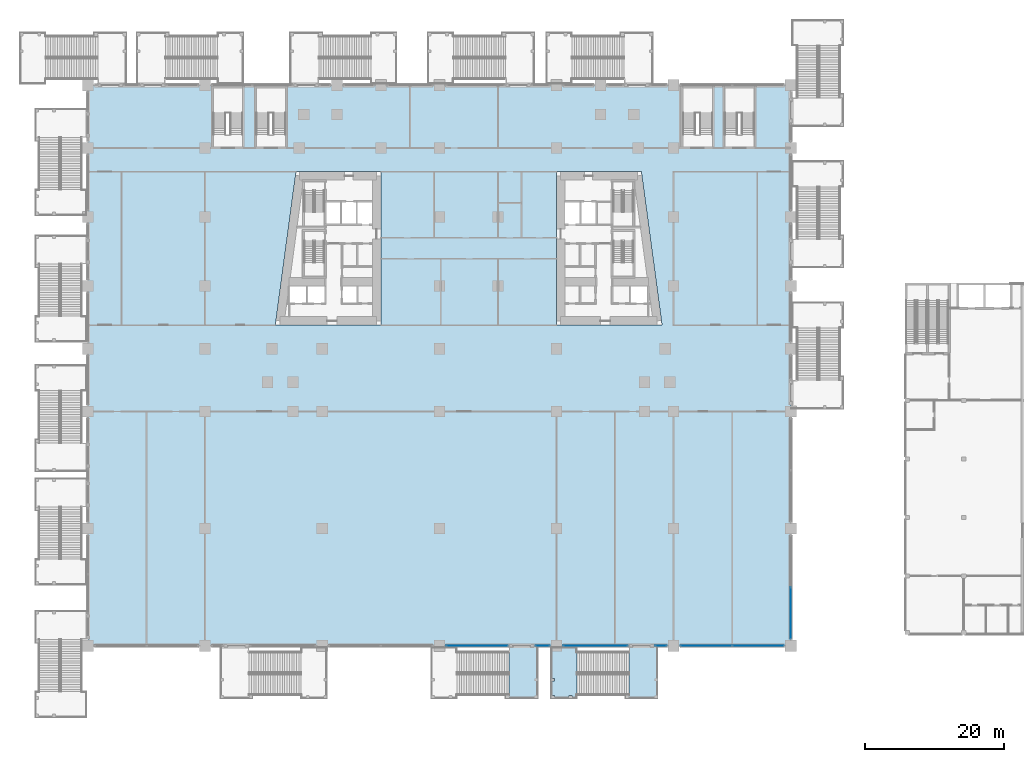
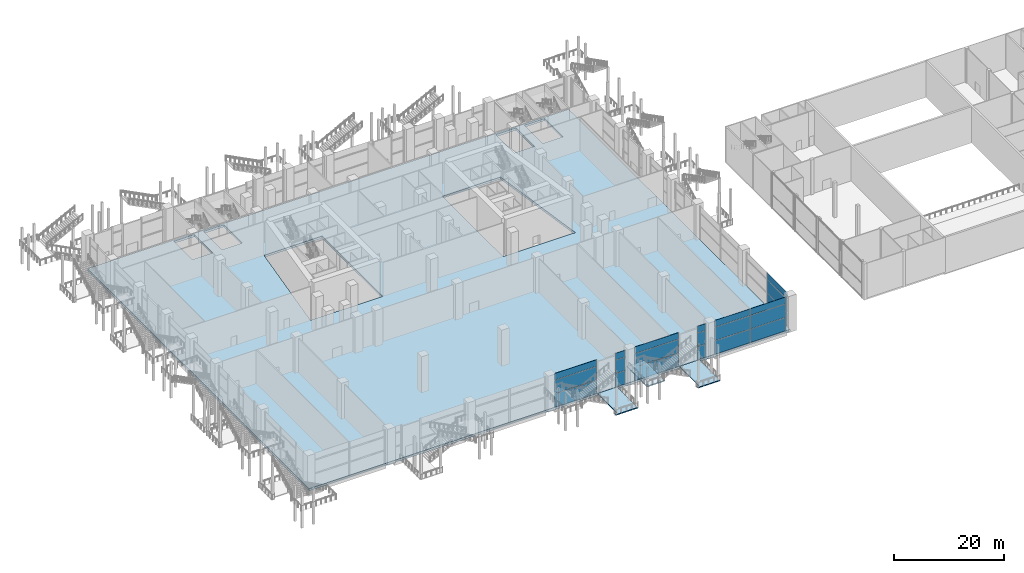
# One storey, part 17 of 52: 21 plates, 4 slabs, 7 elements without a shape of their own.
"""IFC4 building model written with IfcOpenShell, lengths in metres."""

from ifc_helpers import new_model, si_unit, direction, frame, origin, origin_2d, place, context, subcontext, project, spatial, polyline, rectangle, outline, extrude, material, layer, layer_set, type_object, element, aggregate, save


model = new_model("IFC4")

# Units and contexts
model_context = context("Model", 3, precision=1e-05, world=origin(), true_north=direction((0.0, 1.0)))
body_context = subcontext(model_context, "Body", "Model", "MODEL_VIEW")
ifc_project = project(units=[si_unit("LENGTHUNIT", "METRE"), si_unit("AREAUNIT", "SQUARE_METRE"), si_unit("VOLUMEUNIT", "CUBIC_METRE"), si_unit("PLANEANGLEUNIT", "RADIAN"), si_unit("MASSUNIT", "GRAM", prefix="KILO")], contexts=[model_context])

# Site, building, storey
site_placement = place(None, origin())
site = spatial("IfcSite", under=ifc_project, at=site_placement, CompositionType="ELEMENT")
building_placement = place(site_placement, origin())
building = spatial("IfcBuilding", under=site, at=building_placement, Name="Candeia Pilgrim Tower and Theatre", CompositionType="ELEMENT")
storey_placement = place(building_placement, frame((0.0, 0.0, 9.0)))
storey = spatial("IfcBuildingStorey", under=building, at=storey_placement, Name="L01", CompositionType="ELEMENT", Elevation=9.0)

# Curtain wall, plates
ifc_material_1 = material(Name="Aluminium framed podium glazing", Category="aluminium")
curtain_wall_type = type_object("IfcCurtainWallType", Name="CW-P curtain wall", PredefinedType="NOTDEFINED", material=ifc_material_1)
curtain_wall_1_placement = place(storey_placement, origin())
curtain_wall_1 = element("IfcCurtainWall", 1, at=curtain_wall_1_placement, inside=storey, type_object=curtain_wall_type, Name="Curtain wall CW-P L01.260", PredefinedType="NOTDEFINED")
ifc_material_2 = material(Name="Laminated low-iron glass 2 x 8 mm", Category="glass")
ifc_layer_1 = layer(ifc_material_2, 0.035888671875)
ifc_layer_set_1 = layer_set([ifc_layer_1], Name="CW-P glass panel 36")
plate_type = type_object("IfcPlateType", Name="CW-P glass panel 36", PredefinedType="CURTAIN_PANEL", material=ifc_layer_set_1)
plate_1_placement = place(storey_placement, frame((159.60009765625, 69.074951171875, 0.0), z_axis=(0.0, 0.0, 1.0), x_axis=(0.0, -1.0, 0.0)))
plate_1 = element("IfcPlate", 2, at=plate_1_placement, type_object=plate_type, Name="CW-P panel 2.1", PredefinedType="CURTAIN_PANEL", context=body_context, shape_type="SweptSolid", body=[
    extrude(rectangle(XDim=7.3701171875, YDim=0.035888671875, at=origin_2d()), origin(), (0.0, 0.0, 1.0), 2.9599609375),
])
plate_2_placement = place(storey_placement, frame((159.60009765625, 69.074951171875, 3.0400390625), z_axis=(0.0, 0.0, 1.0), x_axis=(0.0, -1.0, 0.0)))
plate_2 = element("IfcPlate", 3, at=plate_2_placement, type_object=plate_type, Name="CW-P panel 2.2", PredefinedType="CURTAIN_PANEL", context=body_context, shape_type="SweptSolid", body=[
    extrude(rectangle(XDim=7.3701171875, YDim=0.035888671875, at=origin_2d()), origin(), (0.0, 0.0, 1.0), 2.919921875),
])
plate_3_placement = place(storey_placement, frame((159.60009765625, 69.074951171875, 6.0400390625), z_axis=(0.0, 0.0, 1.0), x_axis=(0.0, -1.0, 0.0)))
plate_3 = element("IfcPlate", 4, at=plate_3_placement, type_object=plate_type, Name="CW-P panel 2.3", PredefinedType="CURTAIN_PANEL", context=body_context, shape_type="SweptSolid", body=[
    extrude(rectangle(XDim=7.3701171875, YDim=0.035888671875, at=origin_2d()), origin(), (0.0, 0.0, 1.0), 1.4599609375),
])
aggregate(curtain_wall_1, [plate_1, plate_2, plate_3])

curtain_wall_2_placement = place(storey_placement, origin())
curtain_wall_2 = element("IfcCurtainWall", 5, at=curtain_wall_2_placement, inside=storey, type_object=curtain_wall_type, Name="Curtain wall CW-P L01.300", PredefinedType="NOTDEFINED")
plate_4_placement = place(storey_placement, frame((154.925048828125, 64.39990234375, 0.0), z_axis=(0.0, 0.0, 1.0), x_axis=(-1.0, 0.0, 0.0)))
plate_4 = element("IfcPlate", 6, at=plate_4_placement, type_object=plate_type, Name="CW-P panel 1.1", PredefinedType="CURTAIN_PANEL", context=body_context, shape_type="SweptSolid", body=[
    extrude(rectangle(XDim=7.3701171875, YDim=0.035888671875, at=origin_2d()), origin(), (0.0, 0.0, 1.0), 2.9599609375),
])
plate_5_placement = place(storey_placement, frame((154.925048828125, 64.39990234375, 3.0400390625), z_axis=(0.0, 0.0, 1.0), x_axis=(-1.0, 0.0, 0.0)))
plate_5 = element("IfcPlate", 7, at=plate_5_placement, type_object=plate_type, Name="CW-P panel 1.2", PredefinedType="CURTAIN_PANEL", context=body_context, shape_type="SweptSolid", body=[
    extrude(rectangle(XDim=7.3701171875, YDim=0.035888671875, at=origin_2d()), origin(), (0.0, 0.0, 1.0), 2.919921875),
])
plate_6_placement = place(storey_placement, frame((154.925048828125, 64.39990234375, 6.0400390625), z_axis=(0.0, 0.0, 1.0), x_axis=(-1.0, 0.0, 0.0)))
plate_6 = element("IfcPlate", 8, at=plate_6_placement, type_object=plate_type, Name="CW-P panel 1.3", PredefinedType="CURTAIN_PANEL", context=body_context, shape_type="SweptSolid", body=[
    extrude(rectangle(XDim=7.3701171875, YDim=0.035888671875, at=origin_2d()), origin(), (0.0, 0.0, 1.0), 1.4599609375),
])
plate_7_placement = place(storey_placement, frame((147.47509765625, 64.39990234375, 0.0), z_axis=(0.0, 0.0, 1.0), x_axis=(-1.0, 0.0, 0.0)))
plate_7 = element("IfcPlate", 9, at=plate_7_placement, type_object=plate_type, Name="CW-P panel 2.1", PredefinedType="CURTAIN_PANEL", context=body_context, shape_type="SweptSolid", body=[
    extrude(rectangle(XDim=7.3701171875, YDim=0.035888671875, at=origin_2d()), origin(), (0.0, 0.0, 1.0), 2.9599609375),
])
plate_8_placement = place(storey_placement, frame((147.47509765625, 64.39990234375, 3.0400390625), z_axis=(0.0, 0.0, 1.0), x_axis=(-1.0, 0.0, 0.0)))
plate_8 = element("IfcPlate", 10, at=plate_8_placement, type_object=plate_type, Name="CW-P panel 2.2", PredefinedType="CURTAIN_PANEL", context=body_context, shape_type="SweptSolid", body=[
    extrude(rectangle(XDim=7.3701171875, YDim=0.035888671875, at=origin_2d()), origin(), (0.0, 0.0, 1.0), 2.919921875),
])
plate_9_placement = place(storey_placement, frame((147.47509765625, 64.39990234375, 6.0400390625), z_axis=(0.0, 0.0, 1.0), x_axis=(-1.0, 0.0, 0.0)))
plate_9 = element("IfcPlate", 11, at=plate_9_placement, type_object=plate_type, Name="CW-P panel 2.3", PredefinedType="CURTAIN_PANEL", context=body_context, shape_type="SweptSolid", body=[
    extrude(rectangle(XDim=7.3701171875, YDim=0.035888671875, at=origin_2d()), origin(), (0.0, 0.0, 1.0), 1.4599609375),
])
aggregate(curtain_wall_2, [plate_4, plate_5, plate_6, plate_7, plate_8, plate_9])

curtain_wall_3_placement = place(storey_placement, origin())
curtain_wall_3 = element("IfcCurtainWall", 12, at=curtain_wall_3_placement, inside=storey, type_object=curtain_wall_type, Name="Curtain wall CW-P L01.310", PredefinedType="NOTDEFINED")
plate_10_placement = place(storey_placement, frame((141.0, 64.39990234375, 0.0), z_axis=(0.0, 0.0, 1.0), x_axis=(-1.0, 0.0, 0.0)))
plate_10 = element("IfcPlate", 13, at=plate_10_placement, type_object=plate_type, Name="CW-P panel 1.1", PredefinedType="CURTAIN_PANEL", context=body_context, shape_type="SweptSolid", body=[
    extrude(rectangle(XDim=1.6201171875, YDim=0.035888671875, at=origin_2d()), origin(), (0.0, 0.0, 1.0), 2.9599609375),
])
plate_11_placement = place(storey_placement, frame((141.0, 64.39990234375, 3.0400390625), z_axis=(0.0, 0.0, 1.0), x_axis=(-1.0, 0.0, 0.0)))
plate_11 = element("IfcPlate", 14, at=plate_11_placement, type_object=plate_type, Name="CW-P panel 1.2", PredefinedType="CURTAIN_PANEL", context=body_context, shape_type="SweptSolid", body=[
    extrude(rectangle(XDim=1.6201171875, YDim=0.035888671875, at=origin_2d()), origin(), (0.0, 0.0, 1.0), 2.919921875),
])
plate_12_placement = place(storey_placement, frame((141.0, 64.39990234375, 6.0400390625), z_axis=(0.0, 0.0, 1.0), x_axis=(-1.0, 0.0, 0.0)))
plate_12 = element("IfcPlate", 15, at=plate_12_placement, type_object=plate_type, Name="CW-P panel 1.3", PredefinedType="CURTAIN_PANEL", context=body_context, shape_type="SweptSolid", body=[
    extrude(rectangle(XDim=1.6201171875, YDim=0.035888671875, at=origin_2d()), origin(), (0.0, 0.0, 1.0), 1.4599609375),
])
aggregate(curtain_wall_3, [plate_10, plate_11, plate_12])

curtain_wall_4_placement = place(storey_placement, origin())
curtain_wall_4 = element("IfcCurtainWall", 16, at=curtain_wall_4_placement, inside=storey, type_object=curtain_wall_type, Name="Curtain wall CW-P L01.311", PredefinedType="NOTDEFINED")
plate_13_placement = place(storey_placement, frame((131.60009765625, 64.39990234375, 0.0), z_axis=(0.0, 0.0, 1.0), x_axis=(-1.0, 0.0, 0.0)))
plate_13 = element("IfcPlate", 17, at=plate_13_placement, type_object=plate_type, Name="CW-P panel 1.1", PredefinedType="CURTAIN_PANEL", context=body_context, shape_type="SweptSolid", body=[
    extrude(rectangle(XDim=9.219970703125, YDim=0.035888671875, at=origin_2d()), origin(), (0.0, 0.0, 1.0), 2.9599609375),
])
plate_14_placement = place(storey_placement, frame((131.60009765625, 64.39990234375, 3.0400390625), z_axis=(0.0, 0.0, 1.0), x_axis=(-1.0, 0.0, 0.0)))
plate_14 = element("IfcPlate", 18, at=plate_14_placement, type_object=plate_type, Name="CW-P panel 1.2", PredefinedType="CURTAIN_PANEL", context=body_context, shape_type="SweptSolid", body=[
    extrude(rectangle(XDim=9.219970703125, YDim=0.035888671875, at=origin_2d()), origin(), (0.0, 0.0, 1.0), 2.919921875),
])
plate_15_placement = place(storey_placement, frame((131.60009765625, 64.39990234375, 6.0400390625), z_axis=(0.0, 0.0, 1.0), x_axis=(-1.0, 0.0, 0.0)))
plate_15 = element("IfcPlate", 19, at=plate_15_placement, type_object=plate_type, Name="CW-P panel 1.3", PredefinedType="CURTAIN_PANEL", context=body_context, shape_type="SweptSolid", body=[
    extrude(rectangle(XDim=9.219970703125, YDim=0.035888671875, at=origin_2d()), origin(), (0.0, 0.0, 1.0), 1.4599609375),
])
aggregate(curtain_wall_4, [plate_13, plate_14, plate_15])

curtain_wall_5_placement = place(storey_placement, origin())
curtain_wall_5 = element("IfcCurtainWall", 20, at=curtain_wall_5_placement, inside=storey, type_object=curtain_wall_type, Name="Curtain wall CW-P L01.320", PredefinedType="NOTDEFINED")
plate_16_placement = place(storey_placement, frame((124.0, 64.39990234375, 0.0), z_axis=(0.0, 0.0, 1.0), x_axis=(-1.0, 0.0, 0.0)))
plate_16 = element("IfcPlate", 21, at=plate_16_placement, type_object=plate_type, Name="CW-P panel 1.1", PredefinedType="CURTAIN_PANEL", context=body_context, shape_type="SweptSolid", body=[
    extrude(rectangle(XDim=2.02001953125, YDim=0.035888671875, at=origin_2d()), origin(), (0.0, 0.0, 1.0), 2.9599609375),
])
plate_17_placement = place(storey_placement, frame((124.0, 64.39990234375, 3.0400390625), z_axis=(0.0, 0.0, 1.0), x_axis=(-1.0, 0.0, 0.0)))
plate_17 = element("IfcPlate", 22, at=plate_17_placement, type_object=plate_type, Name="CW-P panel 1.2", PredefinedType="CURTAIN_PANEL", context=body_context, shape_type="SweptSolid", body=[
    extrude(rectangle(XDim=2.02001953125, YDim=0.035888671875, at=origin_2d()), origin(), (0.0, 0.0, 1.0), 2.919921875),
])
plate_18_placement = place(storey_placement, frame((124.0, 64.39990234375, 6.0400390625), z_axis=(0.0, 0.0, 1.0), x_axis=(-1.0, 0.0, 0.0)))
plate_18 = element("IfcPlate", 23, at=plate_18_placement, type_object=plate_type, Name="CW-P panel 1.3", PredefinedType="CURTAIN_PANEL", context=body_context, shape_type="SweptSolid", body=[
    extrude(rectangle(XDim=2.02001953125, YDim=0.035888671875, at=origin_2d()), origin(), (0.0, 0.0, 1.0), 1.4599609375),
])
aggregate(curtain_wall_5, [plate_16, plate_17, plate_18])

curtain_wall_6_placement = place(storey_placement, origin())
curtain_wall_6 = element("IfcCurtainWall", 24, at=curtain_wall_6_placement, inside=storey, type_object=curtain_wall_type, Name="Curtain wall CW-P L01.321", PredefinedType="NOTDEFINED")
plate_19_placement = place(storey_placement, frame((114.60009765625, 64.39990234375, 0.0), z_axis=(0.0, 0.0, 1.0), x_axis=(-1.0, 0.0, 0.0)))
plate_19 = element("IfcPlate", 25, at=plate_19_placement, type_object=plate_type, Name="CW-P panel 1.1", PredefinedType="CURTAIN_PANEL", context=body_context, shape_type="SweptSolid", body=[
    extrude(rectangle(XDim=8.820068359375, YDim=0.035888671875, at=origin_2d()), origin(), (0.0, 0.0, 1.0), 2.9599609375),
])
plate_20_placement = place(storey_placement, frame((114.60009765625, 64.39990234375, 3.0400390625), z_axis=(0.0, 0.0, 1.0), x_axis=(-1.0, 0.0, 0.0)))
plate_20 = element("IfcPlate", 26, at=plate_20_placement, type_object=plate_type, Name="CW-P panel 1.2", PredefinedType="CURTAIN_PANEL", context=body_context, shape_type="SweptSolid", body=[
    extrude(rectangle(XDim=8.820068359375, YDim=0.035888671875, at=origin_2d()), origin(), (0.0, 0.0, 1.0), 2.919921875),
])
plate_21_placement = place(storey_placement, frame((114.60009765625, 64.39990234375, 6.0400390625), z_axis=(0.0, 0.0, 1.0), x_axis=(-1.0, 0.0, 0.0)))
plate_21 = element("IfcPlate", 27, at=plate_21_placement, type_object=plate_type, Name="CW-P panel 1.3", PredefinedType="CURTAIN_PANEL", context=body_context, shape_type="SweptSolid", body=[
    extrude(rectangle(XDim=8.820068359375, YDim=0.035888671875, at=origin_2d()), origin(), (0.0, 0.0, 1.0), 1.4599609375),
])
aggregate(curtain_wall_6, [plate_19, plate_20, plate_21])

# Slabs
ifc_material_3 = material(Name="Concrete C50/60", Category="concrete")
ifc_layer_2 = layer(ifc_material_3, 0.5)
ifc_layer_set_2 = layer_set([ifc_layer_2], Name="Floor slab 500 C50/60")
slab_type_1 = type_object("IfcSlabType", Name="Floor slab 500 C50/60", PredefinedType="FLOOR", material=ifc_layer_set_2)
slab_1_placement = place(storey_placement, frame((0.0, 0.0, -0.5)))
element("IfcSlab", 28, at=slab_1_placement, inside=storey, type_object=slab_type_1, Name="Floor slab L01", PredefinedType="FLOOR", context=body_context, shape_type="SweptSolid", body=[
    extrude(outline(polyline([(58.800048828125, 144.800048828125), (159.60009765625, 144.800048828125), (159.60009765625, 64.39990234375), (58.800048828125, 64.39990234375), (58.800048828125, 144.800048828125)]), holes=[polyline([(85.669189453125, 110.39990234375), (100.800048828125, 110.39990234375), (100.800048828125, 132.39990234375), (88.630859375, 132.39990234375), (85.669189453125, 110.39990234375)]), polyline([(126.0, 110.39990234375), (141.130859375, 110.39990234375), (138.169189453125, 132.39990234375), (126.0, 132.39990234375), (126.0, 110.39990234375)]), polyline([(80.97509765625, 144.425048828125), (76.72509765625, 144.425048828125), (76.72509765625, 137.7451171875), (80.97509765625, 137.7451171875), (80.97509765625, 144.425048828125)]), polyline([(87.175048828125, 144.425048828125), (82.925048828125, 144.425048828125), (82.925048828125, 137.7451171875), (87.175048828125, 137.7451171875), (87.175048828125, 144.425048828125)]), polyline([(148.375, 144.425048828125), (144.125, 144.425048828125), (144.125, 137.7451171875), (148.375, 137.7451171875), (148.375, 144.425048828125)]), polyline([(154.375, 144.425048828125), (150.125, 144.425048828125), (150.125, 137.7451171875), (154.375, 137.7451171875), (154.375, 144.425048828125)])]), origin(), (0.0, 0.0, 1.0), 0.5),
])
ifc_material_4 = material(Name="Concrete C40/50", Category="concrete")
ifc_layer_3 = layer(ifc_material_4, 0.199951171875)
ifc_layer_set_3 = layer_set([ifc_layer_3], Name="SL-EXT stair landing")
slab_type_2 = type_object("IfcSlabType", Name="SL-EXT stair landing", PredefinedType="LANDING", material=ifc_layer_set_3)
slab_2_placement = place(storey_placement, frame((0.0, 0.0, -0.199951171875)))
element("IfcSlab", 29, at=slab_2_placement, inside=storey, type_object=slab_type_2, Name="L01 External escape stair ES9 floor landing", PredefinedType="LANDING", context=body_context, shape_type="SweptSolid", body=[
    extrude(outline(polyline([(123.300048828125, 64.35009765625), (119.179931640625, 64.35009765625), (119.179931640625, 57.35009765625), (118.699951171875, 57.35009765625), (118.699951171875, 56.85009765625), (123.300048828125, 56.85009765625), (123.300048828125, 64.35009765625)])), origin(), (0.0, 0.0, 1.0), 0.199951171875),
])
slab_3_placement = place(storey_placement, frame((0.0, 0.0, -0.199951171875)))
element("IfcSlab", 30, at=slab_3_placement, inside=storey, type_object=slab_type_2, Name="L01 External escape stair ES16 floor landing", PredefinedType="LANDING", context=body_context, shape_type="SweptSolid", body=[
    extrude(outline(polyline([(140.5, 64.35009765625), (136.3798828125, 64.35009765625), (136.3798828125, 57.35009765625), (135.89990234375, 57.35009765625), (135.89990234375, 56.85009765625), (140.5, 56.85009765625), (140.5, 64.35009765625)])), origin(), (0.0, 0.0, 1.0), 0.199951171875),
])

# Stair, slab
stair_type = type_object("IfcStairType", Name="ST-EXT external escape stair", PredefinedType="HALF_TURN_STAIR", material=ifc_material_4)
stair_placement = place(storey_placement, origin())
stair = element("IfcStair", 31, at=stair_placement, inside=storey, type_object=stair_type, Name="L01 External escape stair ES16", PredefinedType="HALF_TURN_STAIR")
slab_4_placement = place(storey_placement, frame((0.0, 0.0, 3.800048828125)))
slab_4 = element("IfcSlab", 32, at=slab_4_placement, type_object=slab_type_2, Name="L01 External escape stair ES16 landing", PredefinedType="LANDING", context=body_context, shape_type="SweptSolid", body=[
    extrude(outline(polyline([(128.93994140625, 64.199951171875), (125.239990234375, 64.199951171875), (125.239990234375, 56.85009765625), (128.93994140625, 56.85009765625), (128.93994140625, 64.199951171875)]), holes=[polyline([(127.7900390625, 56.89990234375), (128.18994140625, 56.89990234375), (128.18994140625, 57.300048828125), (127.7900390625, 57.300048828125), (127.7900390625, 56.89990234375)]), polyline([(125.2900390625, 56.89990234375), (125.68994140625, 56.89990234375), (125.68994140625, 57.300048828125), (125.2900390625, 57.300048828125), (125.2900390625, 56.89990234375)]), polyline([(125.2900390625, 59.324951171875), (125.68994140625, 59.324951171875), (125.68994140625, 59.72509765625), (125.2900390625, 59.72509765625), (125.2900390625, 59.324951171875)])]), origin(), (0.0, 0.0, 1.0), 0.199951171875),
])
aggregate(stair, [slab_4])

save(model, "model.ifc")
